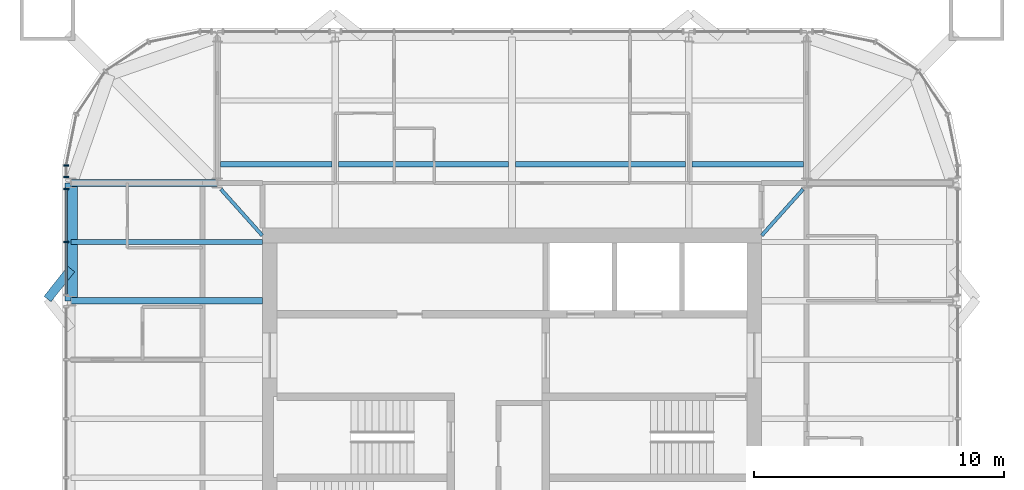
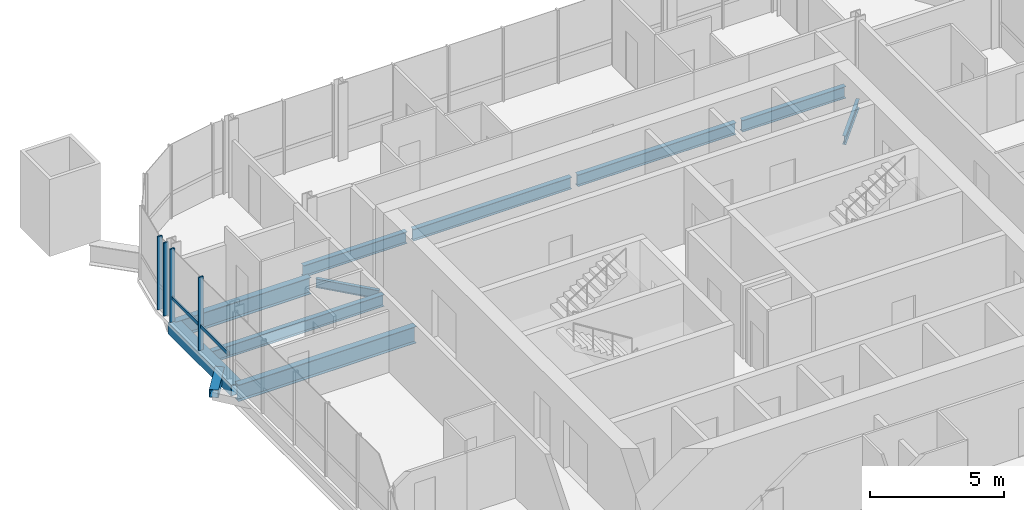
# One storey, part 4 of 17: 11 beams, 6 members, 2 elements without a shape of their own.
"""IFC4 building model written with IfcOpenShell, lengths in metres."""

from ifc_helpers import new_model, si_unit, direction, frame, origin, origin_2d, place, context, subcontext, project, spatial, rectangle, hollow_rectangle, i_section, extrude, material, material_profile, profile_set, type_object, element, aggregate, save


model = new_model("IFC4")

# Units and contexts
model_context = context("Model", 3, precision=1e-05, world=origin(), true_north=direction((0.0, 1.0)))
body_context = subcontext(model_context, "Body", "Model", "MODEL_VIEW")
ifc_project = project(units=[si_unit("LENGTHUNIT", "METRE"), si_unit("AREAUNIT", "SQUARE_METRE"), si_unit("VOLUMEUNIT", "CUBIC_METRE"), si_unit("PLANEANGLEUNIT", "RADIAN"), si_unit("MASSUNIT", "GRAM", prefix="KILO")], contexts=[model_context])

# Site, building, storey
site_placement = place(None, origin())
site = spatial("IfcSite", under=ifc_project, at=site_placement, CompositionType="ELEMENT")
building_placement = place(site_placement, origin())
building = spatial("IfcBuilding", under=site, at=building_placement, Name="Turquesa Mirador Hotel Tower", CompositionType="ELEMENT")
storey_placement = place(building_placement, frame((0.0, 0.0, 240.699951171875)))
storey = spatial("IfcBuildingStorey", under=building, at=storey_placement, Name="L65", CompositionType="ELEMENT", Elevation=240.699951171875)

# Beams
ifc_material_1 = material(Name="Steel ASTM A572 Grade 50", Category="steel")
ifc_material_profile_1 = material_profile(ifc_material_1, hollow_rectangle(XDim=0.5, YDim=0.5, WallThickness=0.01611328125, at=origin_2d()), Name="BOX500X500X16")
ifc_profile_set_1 = profile_set([ifc_material_profile_1], Name="Steel ASTM A572 Grade 50")
beam_type_1 = type_object("IfcBeamType", Name="BEAM BOX500X500X16", PredefinedType="BEAM", material=ifc_profile_set_1)
beam_1_placement = place(storey_placement, frame((37.35009765625, 52.080078125, -0.419921875), z_axis=(0.0, 1.0, 0.0), x_axis=(-1.0, 0.0, 0.0)))
element("IfcBeam", 1, at=beam_1_placement, inside=storey, type_object=beam_type_1, Name="EB-L65-W-R", PredefinedType="BEAM", context=body_context, shape_type="SweptSolid", body=[
    extrude(hollow_rectangle(XDim=0.5, YDim=0.5, WallThickness=0.01611328125, at=origin_2d()), origin(), (0.0, 0.0, 1.0), 4.719970703125),
])
ifc_material_2 = material(Name="Steel ASTM A992 Grade 50", Category="steel")
ifc_material_profile_2 = material_profile(ifc_material_2, i_section(OverallWidth=0.140380859375, OverallDepth=0.40380859375, WebThickness=0.007080078125, FlangeThickness=0.01123046875, at=origin_2d()), Name="W16X31")
ifc_profile_set_2 = profile_set([ifc_material_profile_2], Name="Steel ASTM A992 Grade 50")
beam_type_2 = type_object("IfcBeamType", Name="BEAM W16X31", PredefinedType="BEAM", material=ifc_profile_set_2)
for number, where, z_axis, x_axis, name in (
    (2, (66.656494140625, 56.55126953125, -0.371826171875), (-0.666806350186, -0.745231032198, 0.0), (0.745231032198, -0.666806350186, 0.0), "KT-L65-1"),
    (3, (43.343505859375, 56.55126953125, -0.371826171875), (0.666806350186, -0.745231032198, 0.0), (0.745231032198, 0.666806350186, 0.0), "KT-L65-2"),
):
    element("IfcBeam", number, at=place(storey_placement, frame(where, z_axis=z_axis, x_axis=x_axis)), inside=storey, type_object=beam_type_2, Name=name, PredefinedType="BEAM", context=body_context, shape_type="SweptSolid", body=[
        extrude(i_section(OverallWidth=0.140380859375, OverallDepth=0.40380859375, WebThickness=0.007080078125, FlangeThickness=0.01123046875, at=origin_2d()), origin(), (0.0, 0.0, 1.0), 2.484130859375),
    ])
ifc_material_3 = material(Name="Steel ASTM A992 Grade 50", Category="steel")
ifc_material_profile_3 = material_profile(ifc_material_3, i_section(OverallWidth=0.209228515625, OverallDepth=0.533447265625, WebThickness=0.01025390625, FlangeThickness=0.015625, at=origin_2d()), Name="W21X62")
ifc_profile_set_3 = profile_set([ifc_material_profile_3], Name="Steel ASTM A992 Grade 50")
beam_type_3 = type_object("IfcBeamType", Name="BEAM W21X62", PredefinedType="BEAM", material=ifc_profile_set_3)
beam_2_placement = place(storey_placement, frame((43.333251953125, 57.550048828125, -0.436767578125), z_axis=(1.0, 0.0, 0.0), x_axis=(0.0, 1.0, 0.0)))
element("IfcBeam", 4, at=beam_2_placement, inside=storey, type_object=beam_type_3, Name="IB-L65-N-1-0", PredefinedType="BEAM", context=body_context, shape_type="SweptSolid", body=[
    extrude(i_section(OverallWidth=0.209228515625, OverallDepth=0.533447265625, WebThickness=0.01025390625, FlangeThickness=0.015625, at=origin_2d()), origin(), (0.0, 0.0, 1.0), 4.453369140625),
])
for number, where, z_axis, x_axis, name in (
    (5, (48.053466796875, 57.550048828125, -0.436767578125), (1.0, 0.0, 0.0), (0.0, 1.0, 0.0), "IB-L65-N-1-1"),
    (6, (55.13330078125, 57.550048828125, -0.436767578125), (1.0, 0.0, 0.0), (0.0, 1.0, 0.0), "IB-L65-N-1-2"),
):
    element("IfcBeam", number, at=place(storey_placement, frame(where, z_axis=z_axis, x_axis=x_axis)), inside=storey, type_object=beam_type_3, Name=name, PredefinedType="BEAM", context=body_context, shape_type="SweptSolid", body=[
        extrude(i_section(OverallWidth=0.209228515625, OverallDepth=0.533447265625, WebThickness=0.01025390625, FlangeThickness=0.015625, at=origin_2d()), origin(), (0.0, 0.0, 1.0), 6.813232421875),
    ])
beam_3_placement = place(storey_placement, frame((62.21337890625, 57.550048828125, -0.436767578125), z_axis=(1.0, 0.0, 0.0), x_axis=(0.0, 1.0, 0.0)))
element("IfcBeam", 7, at=beam_3_placement, inside=storey, type_object=beam_type_3, Name="IB-L65-N-1-3", PredefinedType="BEAM", context=body_context, shape_type="SweptSolid", body=[
    extrude(i_section(OverallWidth=0.209228515625, OverallDepth=0.533447265625, WebThickness=0.01025390625, FlangeThickness=0.015625, at=origin_2d()), origin(), (0.0, 0.0, 1.0), 4.453369140625),
])
beam_4_placement = place(storey_placement, frame((37.35009765625, 54.43994140625, -0.436767578125), z_axis=(1.0, 0.0, 0.0), x_axis=(0.0, 1.0, 0.0)))
element("IfcBeam", 8, at=beam_4_placement, inside=storey, type_object=beam_type_3, Name="BM-L65-W-+9.44", PredefinedType="BEAM", context=body_context, shape_type="SweptSolid", body=[
    extrude(i_section(OverallWidth=0.209228515625, OverallDepth=0.533447265625, WebThickness=0.01025390625, FlangeThickness=0.015625, at=origin_2d()), origin(), (0.0, 0.0, 1.0), 7.64990234375),
])
ifc_material_4 = material(Name="Steel ASTM A992 Grade 50", Category="steel")
ifc_material_profile_4 = material_profile(ifc_material_4, i_section(OverallWidth=0.2666015625, OverallDepth=0.7568359375, WebThickness=0.013916015625, FlangeThickness=0.019287109375, at=origin_2d()), Name="W30X108")
ifc_profile_set_4 = profile_set([ifc_material_profile_4], Name="Steel ASTM A992 Grade 50")
beam_type_4 = type_object("IfcBeamType", Name="BEAM W30X108", PredefinedType="BEAM", material=ifc_profile_set_4)
beam_5_placement = place(storey_placement, frame((37.35009765625, 52.080078125, -0.54833984375), z_axis=(1.0, 0.0, 0.0), x_axis=(0.0, 1.0, 0.0)))
element("IfcBeam", 9, at=beam_5_placement, inside=storey, type_object=beam_type_4, Name="GD-L65-W-+7.08", PredefinedType="BEAM", context=body_context, shape_type="SweptSolid", body=[
    extrude(i_section(OverallWidth=0.2666015625, OverallDepth=0.7568359375, WebThickness=0.013916015625, FlangeThickness=0.019287109375, at=origin_2d()), origin(), (0.0, 0.0, 1.0), 7.64990234375),
])
beam_6_placement = place(storey_placement, frame((37.35009765625, 56.800048828125, -0.54833984375), z_axis=(1.0, 0.0, 0.0), x_axis=(0.0, 1.0, 0.0)))
element("IfcBeam", 10, at=beam_6_placement, inside=storey, type_object=beam_type_4, Name="GK-L65-W-+11.80", PredefinedType="BEAM", context=body_context, shape_type="SweptSolid", body=[
    extrude(i_section(OverallWidth=0.2666015625, OverallDepth=0.7568359375, WebThickness=0.013916015625, FlangeThickness=0.019287109375, at=origin_2d()), origin(), (0.0, 0.0, 1.0), 5.849853515625),
])
ifc_material_5 = material(Name="Steel ASTM A500 Grade C", Category="steel")
ifc_material_profile_5 = material_profile(ifc_material_5, hollow_rectangle(XDim=0.355712890625, YDim=0.355712890625, WallThickness=0.0146484375, at=origin_2d()), Name="HSS14X14X5/8")
ifc_profile_set_5 = profile_set([ifc_material_profile_5], Name="Steel ASTM A500 Grade C")
beam_type_5 = type_object("IfcBeamType", Name="BRACE STRUT HSS14X14X5/8", PredefinedType="BEAM", material=ifc_profile_set_5)
beam_7_placement = place(storey_placement, frame((36.39990234375, 52.15380859375, -0.34765625), z_axis=(0.620796907089, 0.783971428146, 0.0), x_axis=(-0.783971428146, 0.620796907089, 0.0)))
element("IfcBeam", 11, at=beam_7_placement, inside=storey, type_object=beam_type_5, Name="Brace strut", PredefinedType="BEAM", context=body_context, shape_type="SweptSolid", body=[
    extrude(hollow_rectangle(XDim=0.355712890625, YDim=0.355712890625, WallThickness=0.0146484375, at=origin_2d()), origin(), (0.0, 0.0, 1.0), 1.530517578125),
])

# Curtain wall, members
ifc_material_6 = material(Name="Aluminium extrusion", Category="aluminium")
curtain_wall_type = type_object("IfcCurtainWallType", Name="CW-4 SUITE FRITTED CURTAIN WALL", PredefinedType="USERDEFINED", material=ifc_material_6)
curtain_wall_1_placement = place(storey_placement, origin())
curtain_wall_1 = element("IfcCurtainWall", 12, at=curtain_wall_1_placement, inside=storey, type_object=curtain_wall_type, Name="CW-4 SUITE FRITTED CURTAIN WALL L65", ObjectType="CURTAIN WALL", PredefinedType="USERDEFINED")
ifc_material_7 = material(Name="Aluminium extrusion", Category="aluminium")
ifc_material_profile_6 = material_profile(ifc_material_7, rectangle(XDim=0.06494140625, YDim=0.199951171875, at=origin_2d()), Name="MULLION 65X200")
ifc_profile_set_6 = profile_set([ifc_material_profile_6], Name="Aluminium extrusion")
member_type_1 = type_object("IfcMemberType", Name="CW MULLION 65X200", PredefinedType="MULLION", material=ifc_profile_set_6)
member_1_placement = place(storey_placement, frame((37.14990234375, 57.5, 0.0), z_axis=(0.0, 0.0, 1.0), x_axis=(0.0, -1.0, 0.0)))
member_1 = element("IfcMember", 13, at=member_1_placement, type_object=member_type_1, Name="Mullion", PredefinedType="MULLION", context=body_context, shape_type="SweptSolid", body=[
    extrude(rectangle(XDim=0.06494140625, YDim=0.199951171875, at=origin_2d()), origin(), (0.0, 0.0, 1.0), 3.330078125),
])
member_2_placement = place(storey_placement, frame((37.14990234375, 57.033935546875, 0.0), z_axis=(0.0, 0.0, 1.0), x_axis=(0.0, -1.0, 0.0)))
member_2 = element("IfcMember", 14, at=member_2_placement, type_object=member_type_1, Name="Mullion", PredefinedType="MULLION", context=body_context, shape_type="SweptSolid", body=[
    extrude(rectangle(XDim=0.06494140625, YDim=0.199951171875, at=origin_2d()), origin(), (0.0, 0.0, 1.0), 3.330078125),
])
aggregate(curtain_wall_1, [member_1, member_2])

curtain_wall_2_placement = place(storey_placement, origin())
curtain_wall_2 = element("IfcCurtainWall", 15, at=curtain_wall_2_placement, inside=storey, type_object=curtain_wall_type, Name="CW-4 SUITE FRITTED CURTAIN WALL L65", ObjectType="CURTAIN WALL", PredefinedType="USERDEFINED")
member_3_placement = place(storey_placement, frame((37.14990234375, 56.566162109375, 0.0), z_axis=(0.0, 0.0, 1.0), x_axis=(0.0, -1.0, 0.0)))
member_3 = element("IfcMember", 16, at=member_3_placement, type_object=member_type_1, Name="Mullion", PredefinedType="MULLION", context=body_context, shape_type="SweptSolid", body=[
    extrude(rectangle(XDim=0.06494140625, YDim=0.199951171875, at=origin_2d()), origin(), (0.0, 0.0, 1.0), 3.330078125),
])
member_4_placement = place(storey_placement, frame((37.14990234375, 54.43994140625, 0.0), z_axis=(0.0, 0.0, 1.0), x_axis=(0.0, -1.0, 0.0)))
member_4 = element("IfcMember", 17, at=member_4_placement, type_object=member_type_1, Name="Mullion", PredefinedType="MULLION", context=body_context, shape_type="SweptSolid", body=[
    extrude(rectangle(XDim=0.06494140625, YDim=0.199951171875, at=origin_2d()), origin(), (0.0, 0.0, 1.0), 3.330078125),
])
ifc_material_8 = material(Name="Aluminium extrusion", Category="aluminium")
ifc_material_profile_7 = material_profile(ifc_material_8, rectangle(XDim=0.06494140625, YDim=0.14990234375, at=origin_2d()), Name="TRANSOM 65X150")
ifc_profile_set_7 = profile_set([ifc_material_profile_7], Name="Aluminium extrusion")
member_type_2 = type_object("IfcMemberType", Name="CW TRANSOM 65X150", PredefinedType="USERDEFINED", material=ifc_profile_set_7)
member_5_placement = place(storey_placement, frame((37.14990234375, 56.53369140625, 1.10009765625), z_axis=(0.0, -1.0, 0.0), x_axis=(1.0, 0.0, 0.0)))
member_5 = element("IfcMember", 18, at=member_5_placement, type_object=member_type_2, Name="Transom", ObjectType="TRANSOM", PredefinedType="USERDEFINED", context=body_context, shape_type="SweptSolid", body=[
    extrude(rectangle(XDim=0.06494140625, YDim=0.14990234375, at=origin_2d()), origin(), (0.0, 0.0, 1.0), 2.061279296875),
])
member_6_placement = place(storey_placement, frame((37.14990234375, 54.407470703125, 1.10009765625), z_axis=(0.0, -1.0, 0.0), x_axis=(1.0, 0.0, 0.0)))
member_6 = element("IfcMember", 19, at=member_6_placement, type_object=member_type_2, Name="Transom", ObjectType="TRANSOM", PredefinedType="USERDEFINED", context=body_context, shape_type="SweptSolid", body=[
    extrude(rectangle(XDim=0.06494140625, YDim=0.14990234375, at=origin_2d()), origin(), (0.0, 0.0, 1.0), 2.06103515625),
])
aggregate(curtain_wall_2, [member_3, member_4, member_5, member_6])

save(model, "model.ifc")
